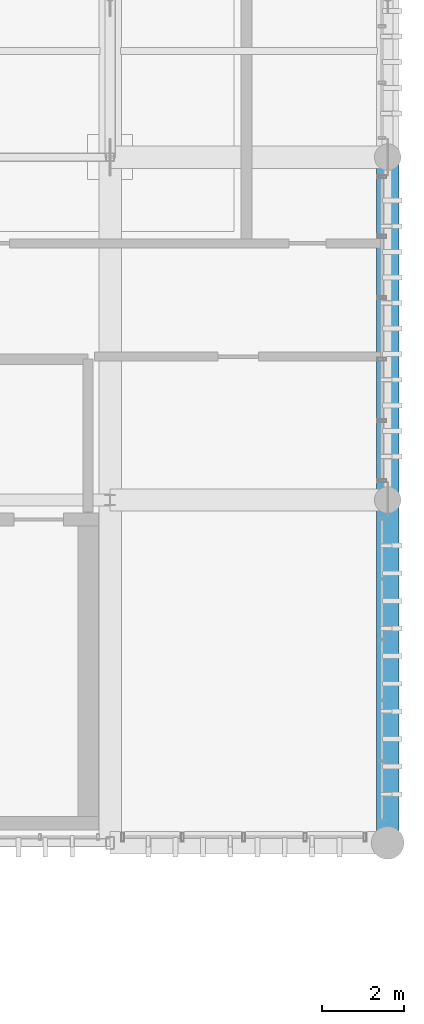
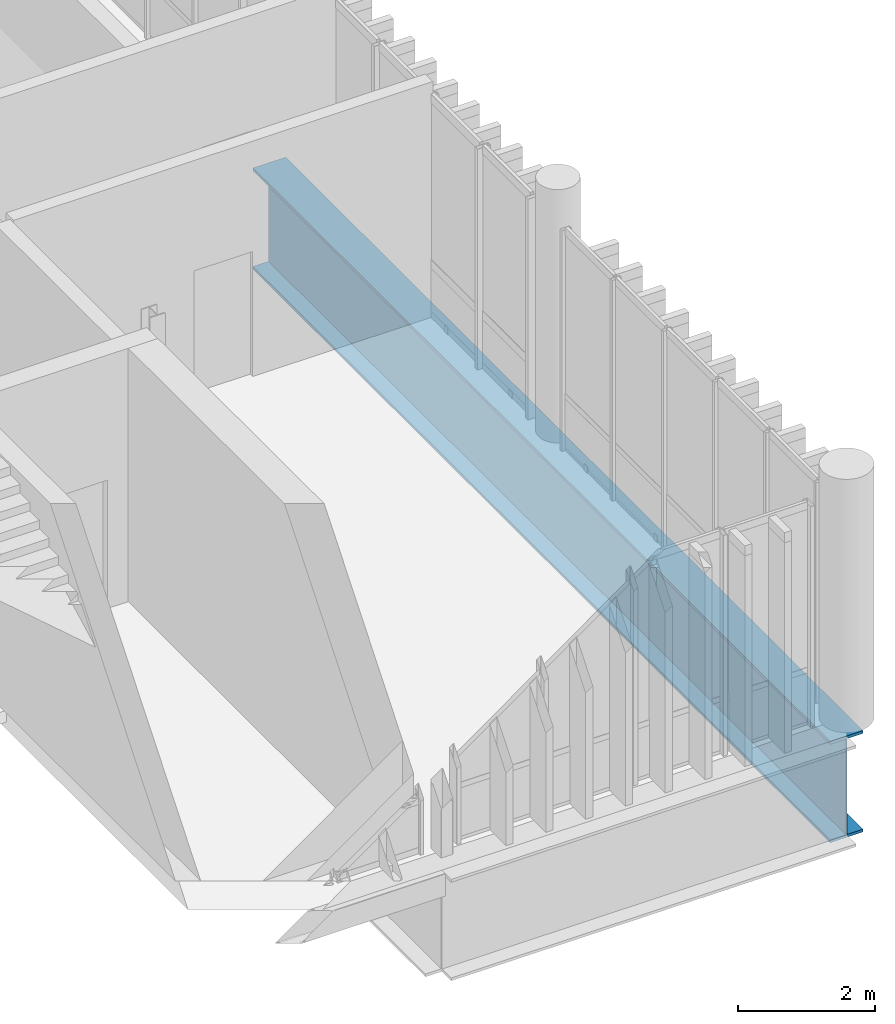
# One storey, part 32 of 53: 1 beam.
"""IFC4 building model written with IfcOpenShell, lengths in metres."""

from ifc_helpers import new_model, si_unit, direction, frame, origin_with_axes, origin_2d_with_axis, place, context, subcontext, project, spatial, i_section, extrude, material, material_profile, profile_set, type_object, element, save


model = new_model("IFC4")

# Units and contexts
model_context = context("Model", 3, precision=1e-05, world=origin_with_axes(), true_north=direction((0.0, 1.0)))
body_context = subcontext(model_context, "Body", "Model", "MODEL_VIEW")
ifc_project = project(units=[si_unit("LENGTHUNIT", "METRE"), si_unit("AREAUNIT", "SQUARE_METRE"), si_unit("VOLUMEUNIT", "CUBIC_METRE"), si_unit("PLANEANGLEUNIT", "RADIAN"), si_unit("MASSUNIT", "GRAM", prefix="KILO"), si_unit("THERMODYNAMICTEMPERATUREUNIT", "KELVIN")], contexts=[model_context])

# Site, building, storey
site_placement = place(None, origin_with_axes())
site = spatial("IfcSite", under=ifc_project, at=site_placement, CompositionType="ELEMENT")
building_placement = place(site_placement, origin_with_axes())
building = spatial("IfcBuilding", under=site, at=building_placement, Name="Montbau Bow Law Courts", CompositionType="ELEMENT")
storey_placement = place(building_placement, frame((0.0, 0.0, 39.0), z_axis=(0.0, 0.0, 1.0), x_axis=(1.0, 0.0, 0.0)))
storey = spatial("IfcBuildingStorey", under=building, at=storey_placement, Name="L08", CompositionType="ELEMENT", Elevation=39.0)

# Beam
ifc_material = material(Name="Steel CSA G40.21 Grade 350WT (350 MPa)", Category="steel")
ifc_material_profile = material_profile(ifc_material, i_section(OverallWidth=0.55, OverallDepth=1.8, WebThickness=0.022, FlangeThickness=0.05, at=origin_2d_with_axis()), Name="WWF1800X550", Category="Main", Priority=0)
ifc_profile_set = profile_set([ifc_material_profile], Name="Steel CSA G40.21 Grade 350WT (350 MPa)")
beam_type = type_object("IfcBeamType", Name="B-TRG-01", PredefinedType="USERDEFINED", material=ifc_profile_set)
beam_placement = place(None, frame((169.4, 86.4, 37.76), z_axis=(0.0, 1.0, 0.0), x_axis=(-1.0, 0.0, 0.0)))
element("IfcBeam", 1, at=beam_placement, inside=storey, type_object=beam_type, Name="TRG-L08-S0104:bm2_0107", ObjectType="GIRDER", PredefinedType="USERDEFINED", context=body_context, shape_type="SweptSolid", body=[
    extrude(i_section(OverallWidth=0.55, OverallDepth=1.8, WebThickness=0.022, FlangeThickness=0.05, at=origin_2d_with_axis()), origin_with_axes(), (0.0, 0.0, 1.0), 16.8),
])

save(model, "model.ifc")
